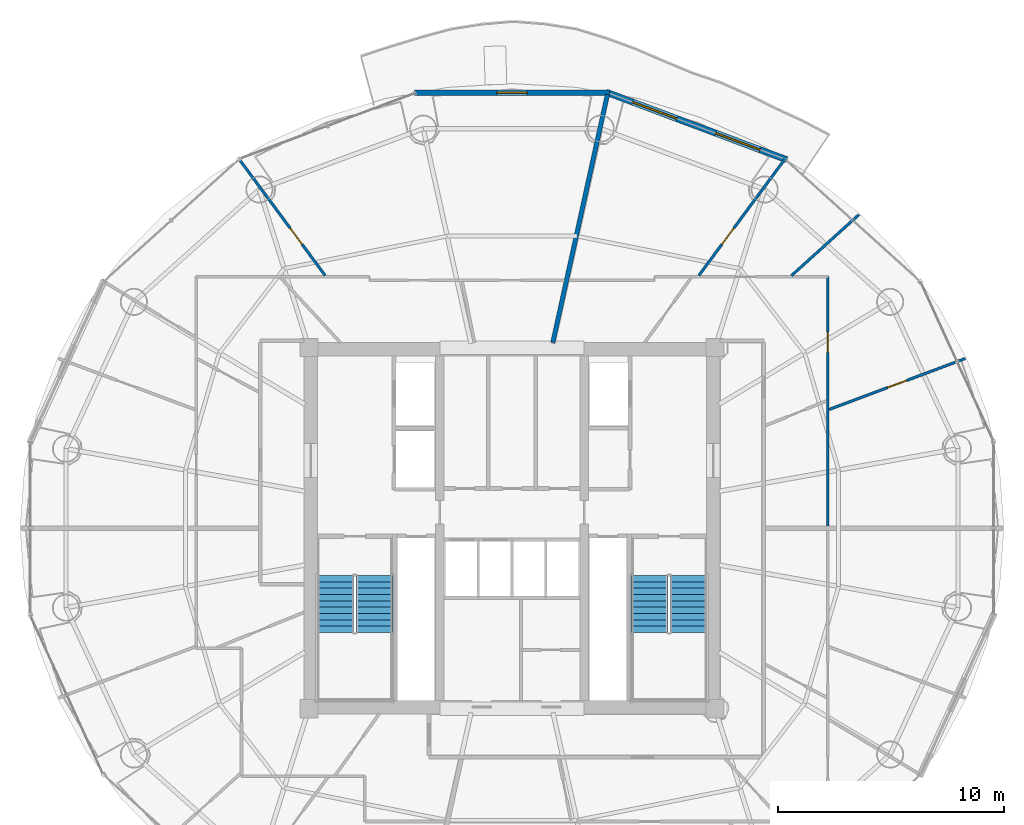
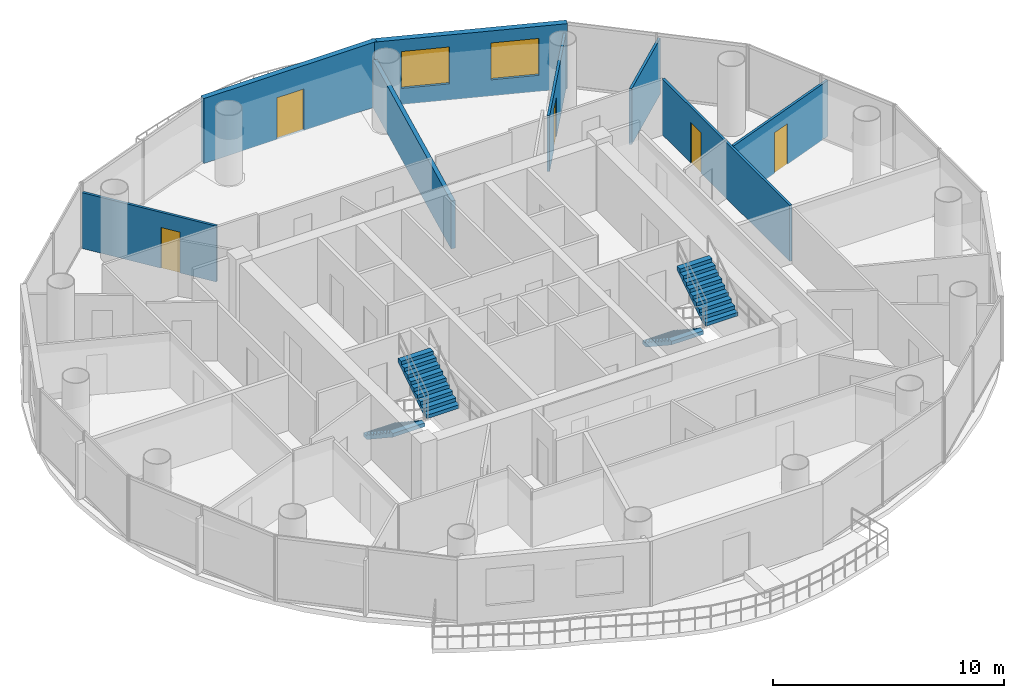
# One storey, part 23 of 26: 8 walls, 5 doors, 4 stair flights, 2 windows, 7 openings, 2 elements without a shape of their own.
"""IFC4 building model written with IfcOpenShell, lengths in metres."""

import ifcopenshell
import ifcopenshell.guid

model = None  # the IFC model being written
_history = None  # IfcOwnerHistory: only IFC2X3 demands one
_inside = {}  # id of a spatial element -> (the spatial element, [elements in it])
_under = {}  # id of a project, library or spatial element -> (it, [spatial elements below it])
_declared = {}  # id of a project -> (the project, [libraries it declares])
_typed = {}  # id of a type object -> (the type object, [elements of that type])
_made_of = {}  # id of a material, layer set ... -> (it, [elements and type objects made of it])


def new_model(schema):
    """Start an empty IFC model of exactly this schema.

    Asked for "IFC4X3", IfcOpenShell would pick the latest addendum, in which some entities
    have other attributes; the version numbers below select the first issue.
    IFC2X3 requires an IfcOwnerHistory on every rooted entity: one is made here for all.
    """
    global model, _history
    if schema == "IFC4X3":
        model = ifcopenshell.file(schema_version=(4, 3, 0, 0))
    else:
        model = ifcopenshell.file(schema=schema)
    _inside.clear()
    _under.clear()
    _declared.clear()
    _typed.clear()
    _made_of.clear()
    _history = None
    if model.schema == "IFC2X3":
        org = make("IfcOrganization", Name="unknown")
        user = make(
            "IfcPersonAndOrganization",
            ThePerson=make("IfcPerson", FamilyName="unknown"),
            TheOrganization=org,
        )
        app = make(
            "IfcApplication",
            ApplicationDeveloper=org,
            Version="unknown",
            ApplicationFullName="unknown",
            ApplicationIdentifier="unknown",
        )
        _history = make(
            "IfcOwnerHistory",
            OwningUser=user,
            OwningApplication=app,
            ChangeAction="ADDED",
            CreationDate=0,
        )
    return model


def make(cls, **values):
    """One entity of the class cls with the attributes given. An attribute that is None is left unset."""
    return model.create_entity(
        cls, **{name: value for name, value in values.items() if value is not None}
    )


def rooted(cls, **values):
    """An entity with a GlobalId (a new one), such as an element, a storey or a relation."""
    return make(cls, GlobalId=ifcopenshell.guid.new(), OwnerHistory=_history, **values)


def si_unit(unit_type, name, prefix=None):
    """IfcSIUnit, for example si_unit("LENGTHUNIT", "METRE", prefix="MILLI")."""
    return make("IfcSIUnit", UnitType=unit_type, Prefix=prefix, Name=name)


def assignment(units):
    """IfcUnitAssignment: the units of a project."""
    return None if units is None else make("IfcUnitAssignment", Units=units)


def point(xyz):
    """IfcCartesianPoint."""
    return None if xyz is None else make("IfcCartesianPoint", Coordinates=xyz)


def direction(xyz):
    """IfcDirection."""
    return None if xyz is None else make("IfcDirection", DirectionRatios=xyz)


def frame(location, z_axis=None, x_axis=None):
    """IfcAxis2Placement3D, a coordinate frame: its origin and axes. An axis left out is left unset."""
    return make(
        "IfcAxis2Placement3D",
        Location=point(location),
        Axis=direction(z_axis),
        RefDirection=direction(x_axis),
    )


def frame_2d(location, x_axis=None):
    """IfcAxis2Placement2D, a coordinate frame in the plane: its origin and x axis."""
    return make(
        "IfcAxis2Placement2D", Location=point(location), RefDirection=direction(x_axis)
    )


def origin():
    """The frame at (0, 0, 0) with its axes left unset."""
    return frame((0.0, 0.0, 0.0))


def place(relative_to, where):
    """IfcLocalPlacement: puts the frame where relative to a parent placement (None: the world)."""
    return make(
        "IfcLocalPlacement", PlacementRelTo=relative_to, RelativePlacement=where
    )


def context(
    kind, dimensions, precision=None, world=None, true_north=None, identifier=None
):
    """IfcGeometricRepresentationContext, for example the 3D "Model" context."""
    return make(
        "IfcGeometricRepresentationContext",
        ContextIdentifier=identifier,
        ContextType=kind,
        CoordinateSpaceDimension=dimensions,
        Precision=precision,
        WorldCoordinateSystem=world,
        TrueNorth=true_north,
    )


def subcontext(parent, identifier, kind, view, scale=None):
    """IfcGeometricRepresentationSubContext, for example "Body" below "Model"."""
    return make(
        "IfcGeometricRepresentationSubContext",
        ContextIdentifier=identifier,
        ContextType=kind,
        ParentContext=parent,
        TargetScale=scale,
        TargetView=view,
    )


def project(units=None, contexts=None):
    """IfcProject with its units and contexts."""
    return rooted(
        "IfcProject",
        Name="project",
        RepresentationContexts=contexts,
        UnitsInContext=assignment(units),
    )


def spatial(cls, under=None, at=None, **own):
    """A site, building, storey or space (cls), placed at a placement, below another one or the project."""
    s = rooted(cls, ObjectPlacement=at, **own)
    if under is not None:
        _under.setdefault(under.id(), (under, []))[1].append(s)
    return s


def polyline(points):
    """IfcPolyline through the points."""
    return make("IfcPolyline", Points=[point(p) for p in points])


def profile(cls, at=None, kind="AREA", **sizes):
    """A parametric profile (cls). Its sizes go by their IFC names, for example OverallWidth=200.0."""
    return make(cls, ProfileType=kind, Position=at, **sizes)


def rectangle(**sizes):
    """IfcRectangleProfileDef."""
    return profile("IfcRectangleProfileDef", **sizes)


def outline(outer, holes=None, kind="AREA"):
    """IfcArbitraryClosedProfileDef: a profile drawn as a closed curve; with holes, ...WithVoids."""
    if holes is None:
        return make("IfcArbitraryClosedProfileDef", ProfileType=kind, OuterCurve=outer)
    return make(
        "IfcArbitraryProfileDefWithVoids",
        ProfileType=kind,
        OuterCurve=outer,
        InnerCurves=holes,
    )


def extrude(swept, where, along, depth):
    """IfcExtrudedAreaSolid: the profile swept, set in the frame where, extruded along a direction by depth."""
    return make(
        "IfcExtrudedAreaSolid",
        SweptArea=swept,
        Position=where,
        ExtrudedDirection=direction(along),
        Depth=depth,
    )


def shape(context_of_items, identifier, shape_type, items):
    """IfcShapeRepresentation: the items that make up one representation, for example the "Body"."""
    return make(
        "IfcShapeRepresentation",
        ContextOfItems=context_of_items,
        RepresentationIdentifier=identifier,
        RepresentationType=shape_type,
        Items=items,
    )


def source(mapping_origin, context_of_items, identifier, shape_type, items):
    """IfcRepresentationMap: a shape defined once, which mapped items show again and again."""
    return make(
        "IfcRepresentationMap",
        MappingOrigin=mapping_origin,
        MappedRepresentation=shape(context_of_items, identifier, shape_type, items),
    )


def transform(
    local_origin,
    x_axis=None,
    y_axis=None,
    z_axis=None,
    scale=None,
    scale2=None,
    scale3=None,
    uniform=True,
):
    """IfcCartesianTransformationOperator3D, or its non-uniform kind. x_axis, y_axis, z_axis: its Axis1, 2, 3."""
    if uniform:
        return make(
            "IfcCartesianTransformationOperator3D",
            Axis1=direction(x_axis),
            Axis2=direction(y_axis),
            LocalOrigin=point(local_origin),
            Scale=scale,
            Axis3=direction(z_axis),
        )
    return make(
        "IfcCartesianTransformationOperator3DnonUniform",
        Axis1=direction(x_axis),
        Axis2=direction(y_axis),
        LocalOrigin=point(local_origin),
        Scale=scale,
        Axis3=direction(z_axis),
        Scale2=scale2,
        Scale3=scale3,
    )


def mapped(mapping_source, mapping_target):
    """IfcMappedItem: shows the shape of a source again, moved by a transform."""
    return make(
        "IfcMappedItem", MappingSource=mapping_source, MappingTarget=mapping_target
    )


def material(Name=None, Category=None):
    """IfcMaterial."""
    return make("IfcMaterial", Name=Name, Category=Category)


def layer(
    of_material, thickness, ventilated=None, Name=None, Category=None, Priority=None
):
    """IfcMaterialLayer: one layer of a wall or slab, of a material (None: an air gap)."""
    return make(
        "IfcMaterialLayer",
        Material=of_material,
        LayerThickness=thickness,
        IsVentilated=ventilated,
        Name=Name,
        Category=Category,
        Priority=Priority,
    )


def layer_set(layers, Name=None):
    """IfcMaterialLayerSet."""
    return make("IfcMaterialLayerSet", MaterialLayers=layers, LayerSetName=Name)


def made_of(thing, what):
    """Note that an element or type object is made of a material, layer set ...; save() writes the relation."""
    if what is not None:
        _made_of.setdefault(what.id(), (what, []))[1].append(thing)
    return thing


def type_object(cls, material=None, **own):
    """A type object (cls), such as IfcWallType, which elements share."""
    return made_of(rooted(cls, **own), material)


def element(
    cls,
    number,
    at=None,
    inside=None,
    cuts=None,
    type_object=None,
    material=None,
    context=None,
    identifier="Body",
    shape_type=None,
    held_by="IfcProductDefinitionShape",
    body=None,
    shapes=None,
    **own,
):
    """One element of the class cls, such as IfcWall. Its Tag is "e" and its number.

    at: its placement. inside: the storey or other place that contains it. cuts: it is an
    opening in that element (IfcRelVoidsElement). A single representation is given by context,
    identifier, shape_type and body (its items); several are given by shapes. held_by: the class
    of the entity that holds the representations. save() writes the other relations.
    """
    e = rooted(cls, Tag="e%d" % number, ObjectPlacement=at, **own)
    if body is not None:
        shapes = [shape(context, identifier, shape_type, body)]
    if shapes is not None:
        e.Representation = make(held_by, Representations=shapes)
    if inside is not None:
        _inside.setdefault(inside.id(), (inside, []))[1].append(e)
    if cuts is not None:
        rooted(
            "IfcRelVoidsElement", RelatingBuildingElement=cuts, RelatedOpeningElement=e
        )
    if type_object is not None:
        _typed.setdefault(type_object.id(), (type_object, []))[1].append(e)
    return made_of(e, material)


def fill(opening, filler):
    """IfcRelFillsElement: the door or window that sits in an opening."""
    return rooted(
        "IfcRelFillsElement",
        RelatingOpeningElement=opening,
        RelatedBuildingElement=filler,
    )


def aggregate(whole, parts):
    """IfcRelAggregates: a whole, such as a stair, and the parts it consists of."""
    return rooted("IfcRelAggregates", RelatingObject=whole, RelatedObjects=parts)


def save(model, path):
    """Write the relations noted so far, then the file.

    IfcRelAggregates (storeys below a building ...), IfcRelContainedInSpatialStructure (elements
    in a storey), IfcRelDefinesByType, IfcRelAssociatesMaterial and IfcRelDeclares: one each for
    every whole, place, type object, material and project.
    """
    for whole, parts in _under.values():
        aggregate(whole, parts)
    for where, things in _inside.values():
        rooted(
            "IfcRelContainedInSpatialStructure",
            RelatedElements=things,
            RelatingStructure=where,
        )
    for kind, things in _typed.values():
        rooted("IfcRelDefinesByType", RelatedObjects=things, RelatingType=kind)
    for what, things in _made_of.values():
        rooted("IfcRelAssociatesMaterial", RelatedObjects=things, RelatingMaterial=what)
    for by, libraries in _declared.values():
        rooted("IfcRelDeclares", RelatingContext=by, RelatedDefinitions=libraries)
    model.write(path)


model = new_model("IFC4")

# Units and contexts
model_context = context("Model", 3, precision=1e-05, world=origin(), true_north=direction((-0.2419218956, 0.970295726276)))
body_context = subcontext(model_context, "Body", "Model", "MODEL_VIEW")
ifc_project = project(units=[si_unit("LENGTHUNIT", "METRE"), si_unit("AREAUNIT", "SQUARE_METRE"), si_unit("VOLUMEUNIT", "CUBIC_METRE"), si_unit("PLANEANGLEUNIT", "RADIAN"), si_unit("MASSUNIT", "GRAM", prefix="KILO")], contexts=[model_context])

# Site, building, storey
site_placement = place(None, origin())
site = spatial("IfcSite", under=ifc_project, at=site_placement, CompositionType="ELEMENT")
building_placement = place(site_placement, origin())
building = spatial("IfcBuilding", under=site, at=building_placement, Name="Cobrevalo Terracotta Tower", CompositionType="ELEMENT")
storey_placement = place(building_placement, frame((0.0, 0.0, 220.800048828125)))
storey = spatial("IfcBuildingStorey", under=building, at=storey_placement, Name="L58", CompositionType="ELEMENT", Elevation=220.800048828125)

# Wall
ifc_material_1 = material(Name="Autoclaved aerated concrete block", Category="concrete")
ifc_layer_1 = layer(ifc_material_1, 0.199951171875)
ifc_layer_set_1 = layer_set([ifc_layer_1], Name="Autoclaved aerated concrete block")
wall_type_1 = type_object("IfcWallType", Name="Fire-rated stair, shaft & demising masonry wall 200 mm", PredefinedType="PARTITIONING", material=ifc_layer_set_1)
wall_1_placement = place(storey_placement, frame((39.810791015625, 35.02685546875, 0.0), z_axis=(0.0, 0.0, 1.0), x_axis=(0.214966857327, 0.976621344356, 0.0)))
element("IfcWall", 1, at=wall_1_placement, inside=storey, type_object=wall_type_1, Name="L58 interior partition IW-L58-DEM-2", PredefinedType="PARTITIONING", context=body_context, shape_type="SweptSolid", body=[
    extrude(rectangle(XDim=11.25830078125, YDim=0.199951171875, at=frame_2d((5.629150390625, 0.0))), origin(), (0.0, 0.0, 1.0), 2.52001953125),
])

# Wall, openings, windows
ifc_layer_2 = layer(ifc_material_1, 0.280029296875)
ifc_layer_set_2 = layer_set([ifc_layer_2], Name="Autoclaved aerated concrete block")
wall_type_2 = type_object("IfcWallType", Name="Insulated tower spandrel & pier wall 280 mm with terracotta rainscreen", PredefinedType="SOLIDWALL", material=ifc_layer_set_2)
wall_2_placement = place(storey_placement, frame((50.169677734375, 43.126953125, 0.0), z_axis=(0.0, 0.0, 1.0), x_axis=(-0.936556918375, 0.350515532672, 0.0)))
wall_2 = element("IfcWall", 2, at=wall_2_placement, inside=storey, type_object=wall_type_2, Name="L58 terracotta rainscreen pier wall S03", PredefinedType="SOLIDWALL", context=body_context, shape_type="SweptSolid", body=[
    extrude(rectangle(XDim=8.539306640625, YDim=0.280029296875, at=frame_2d((4.26953125, 0.0))), origin(), (0.0, 0.0, 1.0), 3.43505859375),
])
opening_1_placement = place(wall_2_placement, frame((1.255615234375, 0.0, 0.85009765625)))
opening_1 = element("IfcOpeningElement", 3, at=opening_1_placement, cuts=wall_2, Name="Opening WN-10", PredefinedType="OPENING", context=body_context, shape_type="SweptSolid", body=[
    extrude(rectangle(XDim=2.10009765625, YDim=1.949951171875, at=frame_2d((1.050048828125, 0.97509765625))), frame((0.0, 0.14990234375, 0.0), z_axis=(0.0, -1.0, 0.0), x_axis=(1.0, 0.0, 0.0)), (0.0, 0.0, 1.0), 0.300048828125),
])
opening_2_placement = place(wall_2_placement, frame((5.18359375, 0.0, 0.85009765625)))
opening_2 = element("IfcOpeningElement", 4, at=opening_2_placement, cuts=wall_2, Name="Opening WN-10", PredefinedType="OPENING", context=body_context, shape_type="SweptSolid", body=[
    extrude(rectangle(XDim=2.10009765625, YDim=1.949951171875, at=frame_2d((1.050048828125, 0.97509765625))), frame((0.0, 0.14990234375, 0.0), z_axis=(0.0, -1.0, 0.0), x_axis=(1.0, 0.0, 0.0)), (0.0, 0.0, 1.0), 0.300048828125),
])
ifc_material_2 = material(Name="Solar-control low-E double glazing", Category="glass")
window_type = type_object("IfcWindowType", Name="Wide panoramic low-E aluminium window 2100x1950", PartitioningType="SINGLE_PANEL", PredefinedType="WINDOW", material=ifc_material_2)
shared_shape_1 = source(origin(), body_context, "Body", "SweptSolid", [
    extrude(rectangle(XDim=2.10009765625, YDim=1.949951171875, at=frame_2d((1.050048828125, 0.97509765625))), frame((0.0, 0.030029296875, 0.0), z_axis=(0.0, -1.0, 0.0), x_axis=(1.0, 0.0, 0.0)), (0.0, 0.0, 1.0), 0.06005859375),
])
window_1_placement = place(opening_1_placement, origin())
window_1 = element("IfcWindow", 5, at=window_1_placement, inside=storey, type_object=window_type, Name="L58 suite window S03A", OverallHeight=1.949951171875, OverallWidth=2.10009765625, PartitioningType="SINGLE_PANEL", PredefinedType="WINDOW", context=body_context, shape_type="MappedRepresentation", body=[
    mapped(shared_shape_1, transform((0.0, 0.0, 0.0), scale=1.0)),
])
fill(opening_1, window_1)
window_2_placement = place(opening_2_placement, origin())
window_2 = element("IfcWindow", 6, at=window_2_placement, inside=storey, type_object=window_type, Name="L58 suite window S03B", OverallHeight=1.949951171875, OverallWidth=2.10009765625, PartitioningType="SINGLE_PANEL", PredefinedType="WINDOW", context=body_context, shape_type="MappedRepresentation", body=[
    mapped(shared_shape_1, transform((0.0, 0.0, 0.0), scale=1.0)),
])
fill(opening_2, window_2)

# Wall, opening, door
ifc_layer_3 = layer(ifc_material_1, 0.260009765625)
ifc_layer_set_3 = layer_set([ifc_layer_3], Name="Autoclaved aerated concrete block")
wall_type_3 = type_object("IfcWallType", Name="Recessed balcony loggia insulated exterior wall 260 mm", PredefinedType="SOLIDWALL", material=ifc_layer_set_3)
wall_3_placement = place(storey_placement, frame((42.3271484375, 46.092041015625, 0.0), z_axis=(0.0, 0.0, 1.0), x_axis=(-1.0, 0.0, 0.0)))
wall_3 = element("IfcWall", 7, at=wall_3_placement, inside=storey, type_object=wall_type_3, Name="L58 balcony loggia wall S04", PredefinedType="SOLIDWALL", context=body_context, shape_type="SweptSolid", body=[
    extrude(rectangle(XDim=8.654296875, YDim=0.260009765625, at=frame_2d((4.3271484375, 0.0))), origin(), (0.0, 0.0, 1.0), 3.43505859375),
])
opening_3_placement = place(wall_3_placement, frame((3.652099609375, 0.0, 0.0)))
opening_3 = element("IfcOpeningElement", 8, at=opening_3_placement, cuts=wall_3, Name="Opening ED-05", PredefinedType="OPENING", context=body_context, shape_type="SweptSolid", body=[
    extrude(rectangle(XDim=1.35009765625, YDim=2.199951171875, at=frame_2d((0.675048828125, 1.10009765625))), frame((0.0, 0.14013671875, 0.0), z_axis=(0.0, -1.0, 0.0), x_axis=(1.0, 0.0, 0.0)), (0.0, 0.0, 1.0), 0.280029296875),
])
ifc_material_3 = material(Name="Anodized aluminium and laminated glass", Category="aluminium")
door_type_1 = type_object("IfcDoorType", Name="Suite balcony acoustic glazed terrace door 1350x2200", OperationType="NOTDEFINED", PredefinedType="DOOR", material=ifc_material_3)
shared_shape_2 = source(origin(), body_context, "Body", "SweptSolid", [
    extrude(rectangle(XDim=1.35009765625, YDim=2.199951171875, at=frame_2d((0.675048828125, 1.10009765625))), frame((0.0, 0.02490234375, 0.0), z_axis=(0.0, -1.0, 0.0), x_axis=(1.0, 0.0, 0.0)), (0.0, 0.0, 1.0), 0.050048828125),
])
door_1_placement = place(opening_3_placement, frame((1.35009765625, 0.0, 0.0), z_axis=(0.0, 0.0, 1.0), x_axis=(-1.0, 0.0, 0.0)))
door_1 = element("IfcDoor", 9, at=door_1_placement, inside=storey, type_object=door_type_1, Name="L58 glazed balcony terrace door 1", OperationType="SINGLE_SWING_LEFT", OverallHeight=2.199951171875, OverallWidth=1.35009765625, PredefinedType="DOOR", context=body_context, shape_type="MappedRepresentation", body=[
    mapped(shared_shape_2, transform((0.0, 0.0, 0.0), scale=1.0)),
])
fill(opening_3, door_1)

ifc_material_4 = material(Name="Gypsum board on steel stud", Category="steel")
ifc_layer_4 = layer(ifc_material_4, 0.1201171875)
ifc_layer_set_4 = layer_set([ifc_layer_4], Name="Gypsum board on steel stud")
wall_type_4 = type_object("IfcWallType", Name="Residential internal acoustic stud partition 120 mm", PredefinedType="PARTITIONING", material=ifc_layer_set_4)
wall_4_placement = place(storey_placement, frame((51.9951171875, 37.945068359375, 0.0), z_axis=(0.0, 0.0, 1.0), x_axis=(0.0, -1.0, 0.0)))
wall_4 = element("IfcWall", 10, at=wall_4_placement, inside=storey, type_object=wall_type_4, Name="L58 interior partition IW-L58-U1-RING3_0", PredefinedType="PARTITIONING", context=body_context, shape_type="SweptSolid", body=[
    extrude(rectangle(XDim=11.04296875, YDim=0.1201171875, at=frame_2d((5.521484375, 0.0))), origin(), (0.0, 0.0, 1.0), 2.950927734375),
])
opening_4_placement = place(wall_4_placement, frame((2.460205078125, 0.0, 0.0)))
opening_4 = element("IfcOpeningElement", 11, at=opening_4_placement, cuts=wall_4, Name="Opening ID-12", PredefinedType="OPENING", context=body_context, shape_type="SweptSolid", body=[
    extrude(rectangle(XDim=0.89990234375, YDim=2.14990234375, at=frame_2d((0.449951171875, 1.074951171875))), frame((0.0, 0.070068359375, 0.0), z_axis=(0.0, -1.0, 0.0), x_axis=(1.0, 0.0, 0.0)), (0.0, 0.0, 1.0), 0.14013671875),
])
ifc_material_5 = material(Name="Engineered timber", Category="wood")
door_type_2 = type_object("IfcDoorType", Name="Internal residence & suite timber door 900x2150", OperationType="NOTDEFINED", PredefinedType="DOOR", material=ifc_material_5)
shared_shape_3 = source(origin(), body_context, "Body", "SweptSolid", [
    extrude(rectangle(XDim=0.89990234375, YDim=2.14990234375, at=frame_2d((0.449951171875, 1.074951171875))), frame((0.0, 0.02490234375, 0.0), z_axis=(0.0, -1.0, 0.0), x_axis=(1.0, 0.0, 0.0)), (0.0, 0.0, 1.0), 0.050048828125),
])
door_2_placement = place(opening_4_placement, origin())
door_2 = element("IfcDoor", 12, at=door_2_placement, inside=storey, type_object=door_type_2, Name="Flat L58A Master Bedroom internal door", OperationType="SINGLE_SWING_LEFT", OverallHeight=2.14990234375, OverallWidth=0.89990234375, PredefinedType="DOOR", context=body_context, shape_type="MappedRepresentation", body=[
    mapped(shared_shape_3, transform((0.0, 0.0, 0.0), scale=1.0)),
])
fill(opening_4, door_2)

wall_5_placement = place(storey_placement, frame((52.052978515625, 32.060302734375, 0.0), z_axis=(0.0, 0.0, 1.0), x_axis=(0.936547148815, 0.350541635255, 0.0)))
wall_5 = element("IfcWall", 13, at=wall_5_placement, inside=storey, type_object=wall_type_4, Name="L58 interior partition IW-L58-U1-ORAD1", PredefinedType="PARTITIONING", context=body_context, shape_type="SweptSolid", body=[
    extrude(rectangle(XDim=6.438720703125, YDim=0.1201171875, at=frame_2d((3.21923828125, 0.0))), origin(), (0.0, 0.0, 1.0), 2.950927734375),
])
opening_5_placement = place(wall_5_placement, frame((2.769287109375, 0.0, 0.0)))
opening_5 = element("IfcOpeningElement", 14, at=opening_5_placement, cuts=wall_5, Name="Opening ID-12", PredefinedType="OPENING", context=body_context, shape_type="SweptSolid", body=[
    extrude(rectangle(XDim=0.89990234375, YDim=2.14990234375, at=frame_2d((0.449951171875, 1.074951171875))), frame((0.0, 0.070068359375, 0.0), z_axis=(0.0, -1.0, 0.0), x_axis=(1.0, 0.0, 0.0)), (0.0, 0.0, 1.0), 0.14013671875),
])
door_3_placement = place(opening_5_placement, frame((0.89990234375, 0.0, 0.0), z_axis=(0.0, 0.0, 1.0), x_axis=(-1.0, 0.0, 0.0)))
door_3 = element("IfcDoor", 15, at=door_3_placement, inside=storey, type_object=door_type_2, Name="Flat L58A Living and Dining Room internal door", OperationType="SINGLE_SWING_RIGHT", OverallHeight=2.14990234375, OverallWidth=0.89990234375, PredefinedType="DOOR", context=body_context, shape_type="MappedRepresentation", body=[
    mapped(shared_shape_3, transform((0.0, 0.0, 0.0), scale=1.0)),
])
fill(opening_5, door_3)

# Wall
wall_6_placement = place(storey_placement, frame((50.379150390625, 37.986572265625, 0.0), z_axis=(0.0, 0.0, 1.0), x_axis=(0.741946116474, 0.67045951425, 0.0)))
element("IfcWall", 16, at=wall_6_placement, inside=storey, type_object=wall_type_4, Name="L58 interior partition IW-L58-U1-ORAD2", PredefinedType="PARTITIONING", context=body_context, shape_type="SweptSolid", body=[
    extrude(rectangle(XDim=4.030029296875, YDim=0.1201171875, at=frame_2d((2.01513671875, 0.0))), origin(), (0.0, 0.0, 1.0), 2.950927734375),
])

# Wall, opening, door
wall_7_placement = place(storey_placement, frame((46.277587890625, 37.994873046875, 0.0), z_axis=(0.0, 0.0, 1.0), x_axis=(0.594518724985, 0.80408176552, 0.0)))
wall_7 = element("IfcWall", 17, at=wall_7_placement, inside=storey, type_object=wall_type_4, Name="L58 interior partition IW-L58-U1-ORAD3", PredefinedType="PARTITIONING", context=body_context, shape_type="SweptSolid", body=[
    extrude(rectangle(XDim=6.344482421875, YDim=0.1201171875, at=frame_2d((3.17236328125, 0.0))), origin(), (0.0, 0.0, 1.0), 2.950927734375),
])
opening_6_placement = place(wall_7_placement, frame((1.714599609375, 0.0, 0.0)))
opening_6 = element("IfcOpeningElement", 18, at=opening_6_placement, cuts=wall_7, Name="Opening ID-12", PredefinedType="OPENING", context=body_context, shape_type="SweptSolid", body=[
    extrude(rectangle(XDim=0.89990234375, YDim=2.14990234375, at=frame_2d((0.449951171875, 1.074951171875))), frame((0.0, 0.070068359375, 0.0), z_axis=(0.0, -1.0, 0.0), x_axis=(1.0, 0.0, 0.0)), (0.0, 0.0, 1.0), 0.14013671875),
])
door_4_placement = place(opening_6_placement, origin())
door_4 = element("IfcDoor", 19, at=door_4_placement, inside=storey, type_object=door_type_2, Name="Flat L58A Principal Guest Bedroom internal door", OperationType="SINGLE_SWING_LEFT", OverallHeight=2.14990234375, OverallWidth=0.89990234375, PredefinedType="DOOR", context=body_context, shape_type="MappedRepresentation", body=[
    mapped(shared_shape_3, transform((0.0, 0.0, 0.0), scale=1.0)),
])
fill(opening_6, door_4)

wall_8_placement = place(storey_placement, frame((29.722412109375, 37.994873046875, 0.0), z_axis=(0.0, 0.0, 1.0), x_axis=(-0.594518724985, 0.80408176552, 0.0)))
wall_8 = element("IfcWall", 20, at=wall_8_placement, inside=storey, type_object=wall_type_4, Name="L58 interior partition IW-L58-U2-ORAD1", PredefinedType="PARTITIONING", context=body_context, shape_type="SweptSolid", body=[
    extrude(rectangle(XDim=6.344482421875, YDim=0.1201171875, at=frame_2d((3.17236328125, 0.0))), origin(), (0.0, 0.0, 1.0), 2.950927734375),
])
opening_7_placement = place(wall_8_placement, frame((1.714599609375, 0.0, 0.0)))
opening_7 = element("IfcOpeningElement", 21, at=opening_7_placement, cuts=wall_8, Name="Opening ID-12", PredefinedType="OPENING", context=body_context, shape_type="SweptSolid", body=[
    extrude(rectangle(XDim=0.89990234375, YDim=2.14990234375, at=frame_2d((0.449951171875, 1.074951171875))), frame((0.0, 0.070068359375, 0.0), z_axis=(0.0, -1.0, 0.0), x_axis=(1.0, 0.0, 0.0)), (0.0, 0.0, 1.0), 0.14013671875),
])
door_5_placement = place(opening_7_placement, frame((0.89990234375, 0.0, 0.0), z_axis=(0.0, 0.0, 1.0), x_axis=(-1.0, 0.0, 0.0)))
door_5 = element("IfcDoor", 22, at=door_5_placement, inside=storey, type_object=door_type_2, Name="Flat L58B Penthouse Living and Dining Room internal door", OperationType="SINGLE_SWING_RIGHT", OverallHeight=2.14990234375, OverallWidth=0.89990234375, PredefinedType="DOOR", context=body_context, shape_type="MappedRepresentation", body=[
    mapped(shared_shape_3, transform((0.0, 0.0, 0.0), scale=1.0)),
])
fill(opening_7, door_5)

# Stair, stair flights
ifc_material_6 = material(Name="Concrete C50", Category="concrete")
stair_type = type_object("IfcStairType", Name="Core protected escape dogleg stair 1600", PredefinedType="HALF_TURN_STAIR", material=ifc_material_6)
stair_1_placement = place(storey_placement, origin())
stair_1 = element("IfcStair", 23, at=stair_1_placement, inside=storey, type_object=stair_type, Name="L58 Protected exit stair ST-1", PredefinedType="HALF_TURN_STAIR")
stair_flight_type = type_object("IfcStairFlightType", Name="Core protected escape dogleg stair 1600 flight", PredefinedType="STRAIGHT", material=ifc_material_6)
stair_flight_1_placement = place(storey_placement, frame((30.175048828125, 24.699951171875, 0.0), z_axis=(0.0, 0.0, 1.0), x_axis=(0.0, -1.0, 0.0)))
stair_flight_1 = element("IfcStairFlight", 24, at=stair_flight_1_placement, type_object=stair_flight_type, Name="ST-1 flight 1", NumberOfRisers=10, NumberOfTreads=9, PredefinedType="STRAIGHT", RiserHeight=0.185, TreadLength=0.28, context=body_context, shape_type="SweptSolid", body=[
    extrude(outline(polyline([(0.0, 0.0), (0.0, 0.18505859375), (0.280029296875, 0.18505859375), (0.280029296875, 0.3701171875), (0.56005859375, 0.3701171875), (0.56005859375, 0.554931640625), (0.840087890625, 0.554931640625), (0.840087890625, 0.739990234375), (1.1201171875, 0.739990234375), (1.1201171875, 0.925048828125), (1.39990234375, 0.925048828125), (1.39990234375, 1.110107421875), (1.679931640625, 1.110107421875), (1.679931640625, 1.294921875), (1.9599609375, 1.294921875), (1.9599609375, 1.47998046875), (2.239990234375, 1.47998046875), (2.239990234375, 1.6650390625), (2.52001953125, 1.6650390625), (2.52001953125, 1.85009765625), (2.52001953125, 1.473388671875), (0.2900390625, 0.0), (0.0, 0.0)])), frame((0.0, 0.800048828125, 0.0), z_axis=(0.0, -1.0, 0.0), x_axis=(1.0, 0.0, 0.0)), (0.0, 0.0, 1.0), 1.60009765625),
])
stair_flight_2_placement = place(storey_placement, frame((31.89501953125, 22.179931640625, 1.849853515625), z_axis=(0.0, 0.0, 1.0), x_axis=(0.0, 1.0, 0.0)))
stair_flight_2 = element("IfcStairFlight", 25, at=stair_flight_2_placement, type_object=stair_flight_type, Name="ST-1 flight 2", NumberOfRisers=10, NumberOfTreads=9, PredefinedType="STRAIGHT", RiserHeight=0.185, TreadLength=0.28, context=body_context, shape_type="SweptSolid", body=[
    extrude(outline(polyline([(0.0, 0.0), (0.0, 0.18505859375), (0.280029296875, 0.18505859375), (0.280029296875, 0.3701171875), (0.56005859375, 0.3701171875), (0.56005859375, 0.554931640625), (0.840087890625, 0.554931640625), (0.840087890625, 0.739990234375), (1.1201171875, 0.739990234375), (1.1201171875, 0.925048828125), (1.39990234375, 0.925048828125), (1.39990234375, 1.110107421875), (1.679931640625, 1.110107421875), (1.679931640625, 1.294921875), (1.9599609375, 1.294921875), (1.9599609375, 1.47998046875), (2.239990234375, 1.47998046875), (2.239990234375, 1.6650390625), (2.52001953125, 1.6650390625), (2.52001953125, 1.85009765625), (2.52001953125, 1.473388671875), (0.2900390625, 0.0), (0.0, 0.0)])), frame((0.0, 0.800048828125, 0.0), z_axis=(0.0, -1.0, 0.0), x_axis=(1.0, 0.0, 0.0)), (0.0, 0.0, 1.0), 1.60009765625),
])
aggregate(stair_1, [stair_flight_1, stair_flight_2])

stair_2_placement = place(storey_placement, origin())
stair_2 = element("IfcStair", 26, at=stair_2_placement, inside=storey, type_object=stair_type, Name="L58 Protected exit stair ST-2", PredefinedType="HALF_TURN_STAIR")
stair_flight_3_placement = place(storey_placement, frame((44.10498046875, 24.699951171875, 0.0), z_axis=(0.0, 0.0, 1.0), x_axis=(0.0, -1.0, 0.0)))
stair_flight_3 = element("IfcStairFlight", 27, at=stair_flight_3_placement, type_object=stair_flight_type, Name="ST-2 flight 1", NumberOfRisers=10, NumberOfTreads=9, PredefinedType="STRAIGHT", RiserHeight=0.185, TreadLength=0.28, context=body_context, shape_type="SweptSolid", body=[
    extrude(outline(polyline([(0.0, 0.0), (0.0, 0.18505859375), (0.280029296875, 0.18505859375), (0.280029296875, 0.3701171875), (0.56005859375, 0.3701171875), (0.56005859375, 0.554931640625), (0.840087890625, 0.554931640625), (0.840087890625, 0.739990234375), (1.1201171875, 0.739990234375), (1.1201171875, 0.925048828125), (1.39990234375, 0.925048828125), (1.39990234375, 1.110107421875), (1.679931640625, 1.110107421875), (1.679931640625, 1.294921875), (1.9599609375, 1.294921875), (1.9599609375, 1.47998046875), (2.239990234375, 1.47998046875), (2.239990234375, 1.6650390625), (2.52001953125, 1.6650390625), (2.52001953125, 1.85009765625), (2.52001953125, 1.473388671875), (0.2900390625, 0.0), (0.0, 0.0)])), frame((0.0, 0.800048828125, 0.0), z_axis=(0.0, -1.0, 0.0), x_axis=(1.0, 0.0, 0.0)), (0.0, 0.0, 1.0), 1.60009765625),
])
stair_flight_4_placement = place(storey_placement, frame((45.824951171875, 22.179931640625, 1.849853515625), z_axis=(0.0, 0.0, 1.0), x_axis=(0.0, 1.0, 0.0)))
stair_flight_4 = element("IfcStairFlight", 28, at=stair_flight_4_placement, type_object=stair_flight_type, Name="ST-2 flight 2", NumberOfRisers=10, NumberOfTreads=9, PredefinedType="STRAIGHT", RiserHeight=0.185, TreadLength=0.28, context=body_context, shape_type="SweptSolid", body=[
    extrude(outline(polyline([(0.0, 0.0), (0.0, 0.18505859375), (0.280029296875, 0.18505859375), (0.280029296875, 0.3701171875), (0.56005859375, 0.3701171875), (0.56005859375, 0.554931640625), (0.840087890625, 0.554931640625), (0.840087890625, 0.739990234375), (1.1201171875, 0.739990234375), (1.1201171875, 0.925048828125), (1.39990234375, 0.925048828125), (1.39990234375, 1.110107421875), (1.679931640625, 1.110107421875), (1.679931640625, 1.294921875), (1.9599609375, 1.294921875), (1.9599609375, 1.47998046875), (2.239990234375, 1.47998046875), (2.239990234375, 1.6650390625), (2.52001953125, 1.6650390625), (2.52001953125, 1.85009765625), (2.52001953125, 1.473388671875), (0.2900390625, 0.0), (0.0, 0.0)])), frame((0.0, 0.800048828125, 0.0), z_axis=(0.0, -1.0, 0.0), x_axis=(1.0, 0.0, 0.0)), (0.0, 0.0, 1.0), 1.60009765625),
])
aggregate(stair_2, [stair_flight_3, stair_flight_4])

save(model, "model.ifc")
